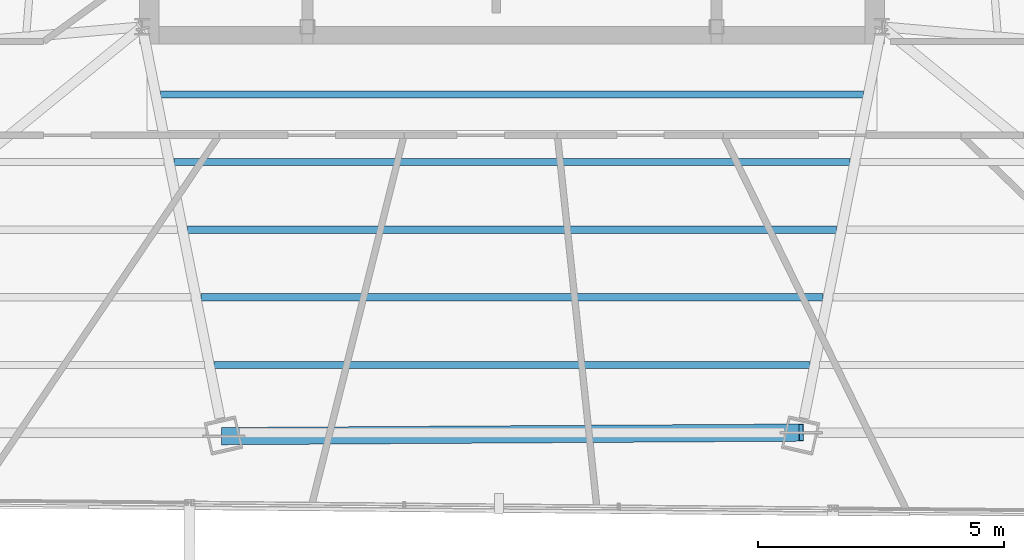
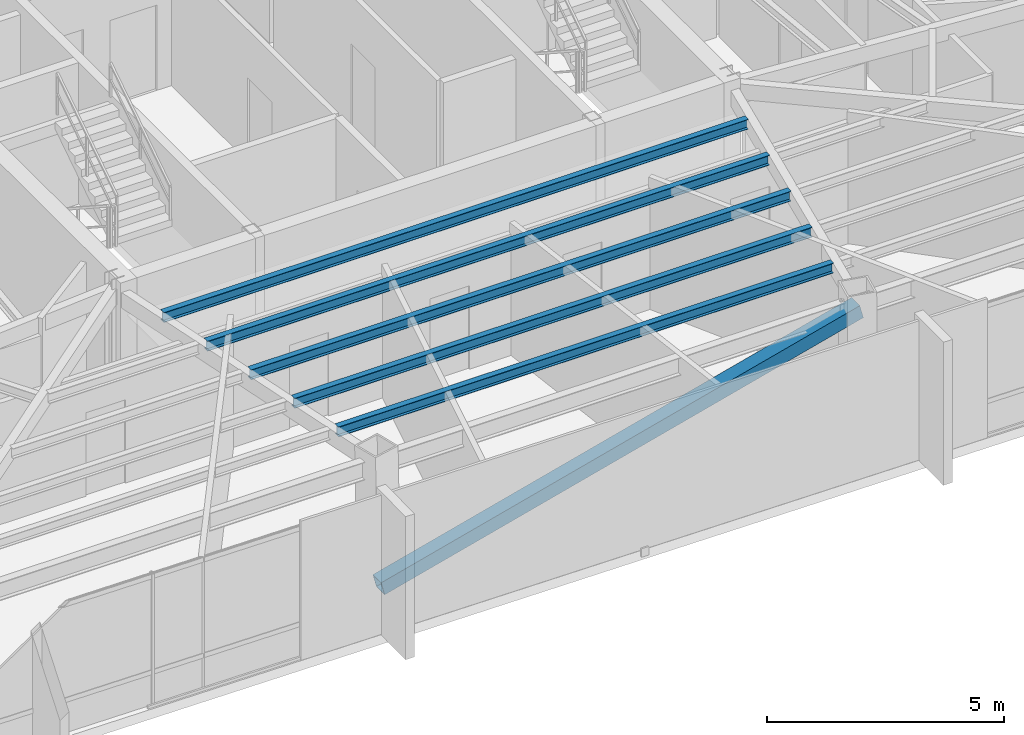
# One storey, part 14 of 42: 5 beams, 1 member.
"""IFC4 building model written with IfcOpenShell, lengths in metres."""

from ifc_helpers import new_model, si_unit, direction, frame, origin, origin_2d, place, context, subcontext, project, spatial, hollow_rectangle, i_section, extrude, source, transform, mapped, material, material_profile, profile_set, type_object, type_shapes, element, save


model = new_model("IFC4")

# Units and contexts
model_context = context("Model", 3, precision=1e-05, world=origin(), true_north=direction((0.0, 1.0)))
body_context = subcontext(model_context, "Body", "Model", "MODEL_VIEW")
ifc_project = project(units=[si_unit("LENGTHUNIT", "METRE"), si_unit("AREAUNIT", "SQUARE_METRE"), si_unit("VOLUMEUNIT", "CUBIC_METRE"), si_unit("PLANEANGLEUNIT", "RADIAN"), si_unit("MASSUNIT", "GRAM", prefix="KILO")], contexts=[model_context])

# Site, building, storey
site_placement = place(None, origin())
site = spatial("IfcSite", under=ifc_project, at=site_placement, CompositionType="ELEMENT")
building_placement = place(site_placement, origin())
building = spatial("IfcBuilding", under=site, at=building_placement, Name="Caelisora Broadcast Tower", CompositionType="ELEMENT")
storey_placement = place(building_placement, frame((0.0, 0.0, 244.449951171875)))
storey = spatial("IfcBuildingStorey", under=building, at=storey_placement, Name="L64", CompositionType="ELEMENT", Elevation=244.449951171875)

# Beams
ifc_material_1 = material(Name="Steel Grade 350 (AS/NZS 3679.1)", Category="steel")
ifc_material_profile_1 = material_profile(ifc_material_1, i_section(OverallWidth=0.14599609375, OverallDepth=0.256103515625, WebThickness=0.00634765625, FlangeThickness=0.010986328125, at=origin_2d()), Name="Steel Grade 350 (AS/NZS 3679.1)")
ifc_profile_set_1 = profile_set([ifc_material_profile_1], Name="Steel Grade 350 (AS/NZS 3679.1)")
beam_type = type_object("IfcBeamType", Name="SB04", PredefinedType="JOIST", material=ifc_profile_set_1)
shared_shape_1 = source(origin(), body_context, "Body", "SweptSolid", [
    extrude(i_section(OverallWidth=0.14599609375, OverallDepth=0.256103515625, WebThickness=0.00634765625, FlangeThickness=0.010986328125, at=origin_2d()), origin(), (0.0, 0.0, 1.0), 14.2578125),
])
beam_1_placement = place(storey_placement, frame((30.87109375, 16.02783203125, 3.27197265625), z_axis=(1.0, 0.0, 0.0), x_axis=(0.0, 1.0, 0.0)))
element("IfcBeam", 1, at=beam_1_placement, inside=storey, type_object=beam_type, Name="L64 beam SB04", PredefinedType="JOIST", context=body_context, shape_type="MappedRepresentation", body=[
    mapped(shared_shape_1, transform((0.0, 0.0, 0.0), scale=1.0)),
])
shared_shape_2 = source(origin(), body_context, "Body", "SweptSolid", [
    extrude(i_section(OverallWidth=0.14599609375, OverallDepth=0.256103515625, WebThickness=0.00634765625, FlangeThickness=0.010986328125, at=origin_2d()), origin(), (0.0, 0.0, 1.0), 13.7138671875),
])
beam_2_placement = place(storey_placement, frame((31.14306640625, 14.65576171875, 3.27197265625), z_axis=(1.0, 0.0, 0.0), x_axis=(0.0, 1.0, 0.0)))
element("IfcBeam", 2, at=beam_2_placement, inside=storey, type_object=beam_type, Name="L64 beam SB04", PredefinedType="JOIST", context=body_context, shape_type="MappedRepresentation", body=[
    mapped(shared_shape_2, transform((0.0, 0.0, 0.0), scale=1.0)),
])
shared_shape_3 = source(origin(), body_context, "Body", "SweptSolid", [
    extrude(i_section(OverallWidth=0.14599609375, OverallDepth=0.256103515625, WebThickness=0.00634765625, FlangeThickness=0.010986328125, at=origin_2d()), origin(), (0.0, 0.0, 1.0), 13.16943359375),
])
beam_3_placement = place(storey_placement, frame((31.415283203125, 13.28369140625, 3.27197265625), z_axis=(1.0, 0.0, 0.0), x_axis=(0.0, 1.0, 0.0)))
element("IfcBeam", 3, at=beam_3_placement, inside=storey, type_object=beam_type, Name="L64 beam SB04", PredefinedType="JOIST", context=body_context, shape_type="MappedRepresentation", body=[
    mapped(shared_shape_3, transform((0.0, 0.0, 0.0), scale=1.0)),
])
shared_shape_4 = source(origin(), body_context, "Body", "SweptSolid", [
    extrude(i_section(OverallWidth=0.14599609375, OverallDepth=0.256103515625, WebThickness=0.00634765625, FlangeThickness=0.010986328125, at=origin_2d()), origin(), (0.0, 0.0, 1.0), 12.62548828125),
])
beam_4_placement = place(storey_placement, frame((31.687255859375, 11.91162109375, 3.27197265625), z_axis=(1.0, 0.0, 0.0), x_axis=(0.0, 1.0, 0.0)))
element("IfcBeam", 4, at=beam_4_placement, inside=storey, type_object=beam_type, Name="L64 beam SB04", PredefinedType="JOIST", context=body_context, shape_type="MappedRepresentation", body=[
    mapped(shared_shape_4, transform((0.0, 0.0, 0.0), scale=1.0)),
])
shared_shape_5 = source(origin(), body_context, "Body", "SweptSolid", [
    extrude(i_section(OverallWidth=0.14599609375, OverallDepth=0.256103515625, WebThickness=0.00634765625, FlangeThickness=0.010986328125, at=origin_2d()), origin(), (0.0, 0.0, 1.0), 12.0810546875),
])
type_shapes(beam_type, [shared_shape_1, shared_shape_2, shared_shape_3, shared_shape_4, shared_shape_5])
beam_5_placement = place(storey_placement, frame((31.95947265625, 10.53955078125, 3.27197265625), z_axis=(1.0, 0.0, 0.0), x_axis=(0.0, 1.0, 0.0)))
element("IfcBeam", 5, at=beam_5_placement, inside=storey, type_object=beam_type, Name="L64 beam SB04", PredefinedType="JOIST", context=body_context, shape_type="MappedRepresentation", body=[
    mapped(shared_shape_5, transform((0.0, 0.0, 0.0), scale=1.0)),
])

# Member
ifc_material_2 = material(Name="Steel Grade 450 (AS/NZS 1163 C450L0)", Category="steel")
ifc_material_profile_2 = material_profile(ifc_material_2, hollow_rectangle(XDim=0.35009765625, YDim=0.35009765625, WallThickness=0.012451171875, at=origin_2d()), Name="Steel Grade 450 (AS/NZS 1163 C450L0)")
ifc_profile_set_2 = profile_set([ifc_material_profile_2], Name="Steel Grade 450 (AS/NZS 1163 C450L0)")
member_type = type_object("IfcMemberType", Name="BR05", PredefinedType="BRACE", material=ifc_profile_set_2)
shared_shape_6 = source(origin(), body_context, "Body", "SweptSolid", [
    extrude(hollow_rectangle(XDim=0.35009765625, YDim=0.35009765625, WallThickness=0.012451171875, at=origin_2d()), origin(), (0.0, 0.0, 1.0), 12.0966796875),
])
type_shapes(member_type, [shared_shape_6])
member_placement = place(storey_placement, frame((32.14892578125, 9.09521484375, 0.10009765625), z_axis=(0.968740886656, 0.005974026593, 0.24800283371), x_axis=(-0.006166677885, 0.999980985861, 0.0)))
element("IfcMember", 6, at=member_placement, inside=storey, type_object=member_type, Name="L64 perimeter brace BR05", PredefinedType="BRACE", context=body_context, shape_type="MappedRepresentation", body=[
    mapped(shared_shape_6, transform((0.0, 0.0, 0.0), scale=1.0)),
])

save(model, "model.ifc")
